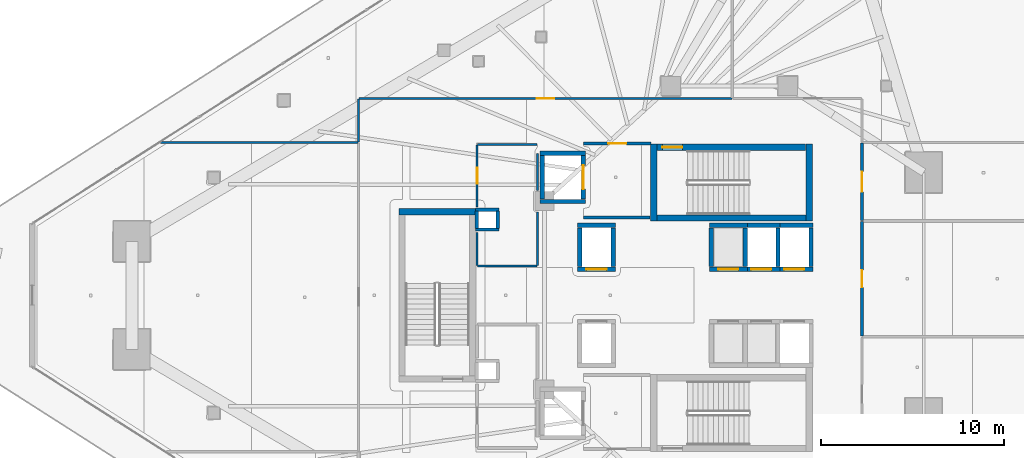
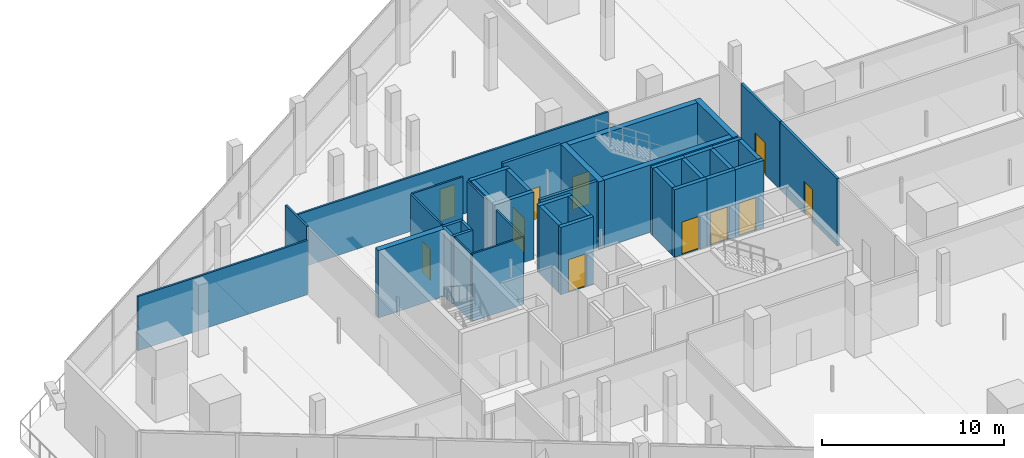
# One storey, part 27 of 42: 40 walls, 11 doors, 11 openings.
"""IFC4 building model written with IfcOpenShell, lengths in metres."""

from ifc_helpers import new_model, si_unit, direction, frame, frame_2d, origin, place, context, subcontext, project, spatial, rectangle, extrude, material, layer, layer_set, type_object, element, fill, save


model = new_model("IFC4")

# Units and contexts
model_context = context("Model", 3, precision=1e-05, world=origin(), true_north=direction((0.0, 1.0)))
body_context = subcontext(model_context, "Body", "Model", "MODEL_VIEW")
ifc_project = project(units=[si_unit("LENGTHUNIT", "METRE"), si_unit("AREAUNIT", "SQUARE_METRE"), si_unit("VOLUMEUNIT", "CUBIC_METRE"), si_unit("PLANEANGLEUNIT", "RADIAN"), si_unit("MASSUNIT", "GRAM", prefix="KILO")], contexts=[model_context])

# Site, building, storey
site_placement = place(None, origin())
site = spatial("IfcSite", under=ifc_project, at=site_placement, CompositionType="ELEMENT")
building_placement = place(site_placement, origin())
building = spatial("IfcBuilding", under=site, at=building_placement, Name="Qorvath Tower", CompositionType="ELEMENT")
storey_placement = place(building_placement, frame((0.0, 0.0, 105.0)))
storey = spatial("IfcBuildingStorey", under=building, at=storey_placement, Name="L23", CompositionType="ELEMENT", Elevation=105.0)

# Walls
ifc_material_1 = material(Name="Gypsum shaftliner on steel studs", Category="steel")
ifc_layer_1 = layer(ifc_material_1, 0.179931640625)
ifc_layer_set_1 = layer_set([ifc_layer_1], Name="FW-LOBBY")
wall_type_1 = type_object("IfcWallType", Name="FW-LOBBY", PredefinedType="PARTITIONING", material=ifc_layer_set_1)
for number, where, z_axis, x_axis, name in (
    (1, (-32.989990234375, 3.594970703125, 0.0), (0.0, 0.0, 1.0), (-1.0, 0.0, 0.0), "MEP Riser Shaft Enclosure Wall N-L23-S"),
    (2, (-34.260009765625, 4.675048828125, 0.0), (0.0, 0.0, 1.0), (1.0, 0.0, 0.0), "MEP Riser Shaft Enclosure Wall N-L23-N"),
):
    element("IfcWall", number, at=place(storey_placement, frame(where, z_axis=z_axis, x_axis=x_axis)), inside=storey, type_object=wall_type_1, Name=name, PredefinedType="PARTITIONING", context=body_context, shape_type="SweptSolid", body=[
        extrude(rectangle(XDim=1.27001953125, YDim=0.179931640625, at=frame_2d((0.635009765625, 0.0))), origin(), (0.0, 0.0, 1.0), 4.52001953125),
    ])
for number, where, z_axis, x_axis, name in (
    (3, (-34.205078125, 3.659912109375, 0.0), (0.0, 0.0, 1.0), (0.0, 1.0, 0.0), "MEP Riser Shaft Enclosure Wall N-L23-W"),
    (4, (-33.044921875, 4.610107421875, 0.0), (0.0, 0.0, 1.0), (0.0, -1.0, 0.0), "MEP Riser Shaft Enclosure Wall N-L23-E"),
):
    element("IfcWall", number, at=place(storey_placement, frame(where, z_axis=z_axis, x_axis=x_axis)), inside=storey, type_object=wall_type_1, Name=name, PredefinedType="PARTITIONING", context=body_context, shape_type="SweptSolid", body=[
        extrude(rectangle(XDim=0.9501953125, YDim=0.179931640625, at=frame_2d((0.47509765625, 0.0))), origin(), (0.0, 0.0, 1.0), 4.52001953125),
    ])
wall_1_placement = place(storey_placement, frame((-28.35498046875, 4.25, 0.0), z_axis=(0.0, 0.0, 1.0), x_axis=(1.0, 0.0, 0.0)))
element("IfcWall", 5, at=wall_1_placement, inside=storey, type_object=wall_type_1, Name="Interior Partition IW-T1-L23-001", PredefinedType="PARTITIONING", context=body_context, shape_type="SweptSolid", body=[
    extrude(rectangle(XDim=3.6220703125, YDim=0.179931640625, at=frame_2d((1.81103515625, 0.0))), origin(), (0.0, 0.0, 1.0), 4.52001953125),
])

# Wall, opening, door
wall_2_placement = place(storey_placement, frame((-24.68408203125, 8.300048828125, 0.0), z_axis=(0.0, 0.0, 1.0), x_axis=(-1.0, 0.0, 0.0)))
wall_2 = element("IfcWall", 6, at=wall_2_placement, inside=storey, type_object=wall_type_1, Name="Interior Partition IW-T1-L23-002", PredefinedType="PARTITIONING", context=body_context, shape_type="SweptSolid", body=[
    extrude(rectangle(XDim=3.6708984375, YDim=0.179931640625, at=frame_2d((1.83544921875, 0.0))), origin(), (0.0, 0.0, 1.0), 4.52001953125),
])
opening_1_placement = place(wall_2_placement, frame((1.33544921875, 0.0, 0.0)))
opening_1 = element("IfcOpeningElement", 7, at=opening_1_placement, cuts=wall_2, Name="Opening D-T1-L23-12", PredefinedType="OPENING", context=body_context, shape_type="SweptSolid", body=[
    extrude(rectangle(XDim=1.0, YDim=2.14990234375, at=frame_2d((0.5, 1.074951171875))), frame((0.0, 0.10009765625, 0.0), z_axis=(0.0, -1.0, 0.0), x_axis=(1.0, 0.0, 0.0)), (0.0, 0.0, 1.0), 0.199951171875),
])
ifc_material_2 = material(Name="Painted galvanised hollow metal", Category="steel")
door_type_1 = type_object("IfcDoorType", Name="FD-60", OperationType="NOTDEFINED", PredefinedType="DOOR", material=ifc_material_2)
door_1_placement = place(opening_1_placement, origin())
door_1 = element("IfcDoor", 8, at=door_1_placement, inside=storey, type_object=door_type_1, Name="Lobby Fire Service Elevator North Door D-T1-L23-12", OperationType="SINGLE_SWING_LEFT", OverallHeight=2.14990234375, OverallWidth=1.0, PredefinedType="DOOR", context=body_context, shape_type="SweptSolid", body=[
    extrude(rectangle(XDim=1.0, YDim=2.14990234375, at=frame_2d((0.5, 1.074951171875))), frame((0.0, 0.02490234375, 0.0), z_axis=(0.0, -1.0, 0.0), x_axis=(1.0, 0.0, 0.0)), (0.0, 0.0, 1.0), 0.050048828125),
])
fill(opening_1, door_1)

ifc_material_3 = material(Name="Double acoustic gypsum board on steel studs", Category="steel")
ifc_layer_2 = layer(ifc_material_3, 0.159912109375)
ifc_layer_set_2 = layer_set([ifc_layer_2], Name="IW-ACOUSTIC-160")
wall_type_2 = type_object("IfcWallType", Name="IW-ACOUSTIC-160", PredefinedType="PARTITIONING", material=ifc_layer_set_2)
wall_3_placement = place(storey_placement, frame((-13.14208984375, 4.04345703125, 0.0), z_axis=(0.0, 0.0, 1.0), x_axis=(0.0, -1.0, 0.0)))
wall_3 = element("IfcWall", 9, at=wall_3_placement, inside=storey, type_object=wall_type_2, Name="Interior Partition IW-T1-L23-037", PredefinedType="PARTITIONING", context=body_context, shape_type="SweptSolid", body=[
    extrude(rectangle(XDim=6.279052734375, YDim=0.159912109375, at=frame_2d((3.1396484375, 0.0))), origin(), (0.0, 0.0, 1.0), 4.52001953125),
])
opening_2_placement = place(wall_3_placement, frame((2.66455078125, 0.0, 0.0)))
opening_2 = element("IfcOpeningElement", 10, at=opening_2_placement, cuts=wall_3, Name="Opening D-T1-L23-09", PredefinedType="OPENING", context=body_context, shape_type="SweptSolid", body=[
    extrude(rectangle(XDim=0.949951171875, YDim=2.14990234375, at=frame_2d((0.47509765625, 1.074951171875))), frame((0.0, 0.08984375, 0.0), z_axis=(0.0, -1.0, 0.0), x_axis=(1.0, 0.0, 0.0)), (0.0, 0.0, 1.0), 0.179931640625),
])
ifc_material_4 = material(Name="Solid-core American white oak veneer", Category="wood")
door_type_2 = type_object("IfcDoorType", Name="D-01", OperationType="NOTDEFINED", PredefinedType="DOOR", material=ifc_material_4)
door_2_placement = place(opening_2_placement, origin())
door_2 = element("IfcDoor", 11, at=door_2_placement, inside=storey, type_object=door_type_2, Name="L23-07 Sky Breakout Reading Alcove Door D-T1-L23-09", OperationType="SINGLE_SWING_RIGHT", OverallHeight=2.14990234375, OverallWidth=0.949951171875, PredefinedType="DOOR", context=body_context, shape_type="SweptSolid", body=[
    extrude(rectangle(XDim=0.949951171875, YDim=2.14990234375, at=frame_2d((0.47509765625, 1.074951171875))), frame((0.0, 0.02490234375, 0.0), z_axis=(0.0, -1.0, 0.0), x_axis=(1.0, 0.0, 0.0)), (0.0, 0.0, 1.0), 0.050048828125),
])
fill(opening_2, door_2)

wall_4_placement = place(storey_placement, frame((-13.14208984375, 8.31689453125, 0.0), z_axis=(0.0, 0.0, 1.0), x_axis=(0.0, -1.0, 0.0)))
wall_4 = element("IfcWall", 12, at=wall_4_placement, inside=storey, type_object=wall_type_2, Name="Interior Partition IW-T1-L23-039", PredefinedType="PARTITIONING", context=body_context, shape_type="SweptSolid", body=[
    extrude(rectangle(XDim=4.215576171875, YDim=0.159912109375, at=frame_2d((2.10791015625, 0.0))), origin(), (0.0, 0.0, 1.0), 4.52001953125),
])
opening_3_placement = place(wall_4_placement, frame((1.557861328125, 0.0, 0.0)))
opening_3 = element("IfcOpeningElement", 13, at=opening_3_placement, cuts=wall_4, Name="Opening D-T1-L23-10", PredefinedType="OPENING", context=body_context, shape_type="SweptSolid", body=[
    extrude(rectangle(XDim=1.10009765625, YDim=2.14990234375, at=frame_2d((0.550048828125, 1.074951171875))), frame((0.0, 0.08984375, 0.0), z_axis=(0.0, -1.0, 0.0), x_axis=(1.0, 0.0, 0.0)), (0.0, 0.0, 1.0), 0.179931640625),
])
ifc_material_5 = material(Name="Anodised aluminium acoustic framed glass", Category="aluminium")
door_type_3 = type_object("IfcDoorType", Name="D-03", OperationType="NOTDEFINED", PredefinedType="DOOR", material=ifc_material_5)
door_3_placement = place(opening_3_placement, origin())
door_3 = element("IfcDoor", 14, at=door_3_placement, inside=storey, type_object=door_type_3, Name="L23-08 Sky Digital Visualization Suite Door D-T1-L23-10", OperationType="SINGLE_SWING_LEFT", OverallHeight=2.14990234375, OverallWidth=1.10009765625, PredefinedType="DOOR", context=body_context, shape_type="SweptSolid", body=[
    extrude(rectangle(XDim=1.10009765625, YDim=2.14990234375, at=frame_2d((0.550048828125, 1.074951171875))), frame((0.0, 0.02490234375, 0.0), z_axis=(0.0, -1.0, 0.0), x_axis=(1.0, 0.0, 0.0)), (0.0, 0.0, 1.0), 0.050048828125),
])
fill(opening_3, door_3)

# Walls
ifc_material_6 = material(Name="Gypsum board on metal studs with mineral wool", Category="gypsum")
ifc_layer_3 = layer(ifc_material_6, 0.125)
ifc_layer_set_3 = layer_set([ifc_layer_3], Name="IW-PART-125")
wall_type_3 = type_object("IfcWallType", Name="IW-PART-125", PredefinedType="PARTITIONING", material=ifc_layer_set_3)
wall_5_placement = place(storey_placement, frame((-51.482421875, 8.35009765625, 0.0), z_axis=(0.0, 0.0, 1.0), x_axis=(1.0, 0.0, 0.0)))
element("IfcWall", 15, at=wall_5_placement, inside=storey, type_object=wall_type_3, Name="Interior Partition IW-T1-L23-017", PredefinedType="PARTITIONING", context=body_context, shape_type="SweptSolid", body=[
    extrude(rectangle(XDim=10.79931640625, YDim=0.125, at=frame_2d((5.399658203125, 0.0))), origin(), (0.0, 0.0, 1.0), 3.639892578125),
])
wall_6_placement = place(storey_placement, frame((-40.657958984375, 10.733154296875, 0.0), z_axis=(0.0, 0.0, 1.0), x_axis=(0.0, -1.0, 0.0)))
element("IfcWall", 16, at=wall_6_placement, inside=storey, type_object=wall_type_3, Name="Interior Partition IW-T1-L23-018", PredefinedType="PARTITIONING", context=body_context, shape_type="SweptSolid", body=[
    extrude(rectangle(XDim=2.358154296875, YDim=0.125, at=frame_2d((1.17919921875, 0.0))), origin(), (0.0, 0.0, 1.0), 4.52001953125),
])

# Wall, opening, door
wall_7_placement = place(storey_placement, frame((-40.633056640625, 10.758056640625, 0.0), z_axis=(0.0, 0.0, 1.0), x_axis=(1.0, 0.0, 0.0)))
wall_7 = element("IfcWall", 17, at=wall_7_placement, inside=storey, type_object=wall_type_3, Name="Interior Partition IW-T1-L23-019", PredefinedType="PARTITIONING", context=body_context, shape_type="SweptSolid", body=[
    extrude(rectangle(XDim=20.374755859375, YDim=0.125, at=frame_2d((10.1875, 0.0))), origin(), (0.0, 0.0, 1.0), 3.639892578125),
])
opening_4_placement = place(wall_7_placement, frame((9.71240234375, 0.0, 0.0)))
opening_4 = element("IfcOpeningElement", 18, at=opening_4_placement, cuts=wall_7, Name="Opening D-T1-L23-03", PredefinedType="OPENING", context=body_context, shape_type="SweptSolid", body=[
    extrude(rectangle(XDim=0.949951171875, YDim=2.14990234375, at=frame_2d((0.47509765625, 1.074951171875))), frame((0.0, 0.072509765625, 0.0), z_axis=(0.0, -1.0, 0.0), x_axis=(1.0, 0.0, 0.0)), (0.0, 0.0, 1.0), 0.14501953125),
])
door_4_placement = place(opening_4_placement, origin())
door_4 = element("IfcDoor", 19, at=door_4_placement, inside=storey, type_object=door_type_2, Name="L23-01 Sky Focus Collaboration Pod Door D-T1-L23-03", OperationType="SINGLE_SWING_RIGHT", OverallHeight=2.14990234375, OverallWidth=0.949951171875, PredefinedType="DOOR", context=body_context, shape_type="SweptSolid", body=[
    extrude(rectangle(XDim=0.949951171875, YDim=2.14990234375, at=frame_2d((0.47509765625, 1.074951171875))), frame((0.0, 0.02490234375, 0.0), z_axis=(0.0, -1.0, 0.0), x_axis=(1.0, 0.0, 0.0)), (0.0, 0.0, 1.0), 0.050048828125),
])
fill(opening_4, door_4)

# Walls
ifc_material_7 = material(Name="Moisture-resistant cement board on metal studs", Category="gypsum")
ifc_layer_4 = layer(ifc_material_7, 0.110107421875)
ifc_layer_set_4 = layer_set([ifc_layer_4], Name="IW-WC-110")
wall_type_4 = type_object("IfcWallType", Name="IW-WC-110", PredefinedType="PARTITIONING", material=ifc_layer_set_4)
wall_8_placement = place(storey_placement, frame((-34.15478515625, 1.60009765625, 0.0), z_axis=(0.0, 0.0, 1.0), x_axis=(1.0, 0.0, 0.0)))
element("IfcWall", 20, at=wall_8_placement, inside=storey, type_object=wall_type_4, Name="Interior Partition IW-T1-L23-005", PredefinedType="PARTITIONING", context=body_context, shape_type="SweptSolid", body=[
    extrude(rectangle(XDim=3.25, YDim=0.110107421875, at=frame_2d((1.625, 0.0))), origin(), (0.0, 0.0, 1.0), 4.52001953125),
])
wall_9_placement = place(storey_placement, frame((-30.8798828125, 1.625, 0.0), z_axis=(0.0, 0.0, 1.0), x_axis=(0.0, 1.0, 0.0)))
element("IfcWall", 21, at=wall_9_placement, inside=storey, type_object=wall_type_4, Name="Interior Partition IW-T1-L23-006", PredefinedType="PARTITIONING", context=body_context, shape_type="SweptSolid", body=[
    extrude(rectangle(XDim=2.93505859375, YDim=0.110107421875, at=frame_2d((1.467529296875, 0.0))), origin(), (0.0, 0.0, 1.0), 4.52001953125),
])
wall_10_placement = place(storey_placement, frame((-30.8798828125, 5.739990234375, 0.0), z_axis=(0.0, 0.0, 1.0), x_axis=(0.0, 1.0, 0.0)))
element("IfcWall", 22, at=wall_10_placement, inside=storey, type_object=wall_type_4, Name="Interior Partition IW-T1-L23-007", PredefinedType="PARTITIONING", context=body_context, shape_type="SweptSolid", body=[
    extrude(rectangle(XDim=2.0029296875, YDim=0.110107421875, at=frame_2d((1.00146484375, 0.0))), origin(), (0.0, 0.0, 1.0), 4.52001953125),
])
wall_11_placement = place(storey_placement, frame((-30.90478515625, 8.25, 0.0), z_axis=(0.0, 0.0, 1.0), x_axis=(-1.0, 0.0, 0.0)))
element("IfcWall", 23, at=wall_11_placement, inside=storey, type_object=wall_type_4, Name="Interior Partition IW-T1-L23-008", PredefinedType="PARTITIONING", context=body_context, shape_type="SweptSolid", body=[
    extrude(rectangle(XDim=3.25, YDim=0.110107421875, at=frame_2d((1.625, 0.0))), origin(), (0.0, 0.0, 1.0), 4.52001953125),
])

# Wall, opening, door
wall_12_placement = place(storey_placement, frame((-34.179931640625, 8.22509765625, 0.0), z_axis=(0.0, 0.0, 1.0), x_axis=(0.0, -1.0, 0.0)))
wall_12 = element("IfcWall", 24, at=wall_12_placement, inside=storey, type_object=wall_type_4, Name="Interior Partition IW-T1-L23-009", PredefinedType="PARTITIONING", context=body_context, shape_type="SweptSolid", body=[
    extrude(rectangle(XDim=3.385009765625, YDim=0.110107421875, at=frame_2d((1.6923828125, 0.0))), origin(), (0.0, 0.0, 1.0), 4.52001953125),
])
opening_5_placement = place(wall_12_placement, frame((1.25244140625, 0.0, 0.0)))
opening_5 = element("IfcOpeningElement", 25, at=opening_5_placement, cuts=wall_12, Name="Opening D-T1-L23-01", PredefinedType="OPENING", context=body_context, shape_type="SweptSolid", body=[
    extrude(rectangle(XDim=0.8798828125, YDim=2.10009765625, at=frame_2d((0.43994140625, 1.050048828125))), frame((0.0, 0.06494140625, 0.0), z_axis=(0.0, -1.0, 0.0), x_axis=(1.0, 0.0, 0.0)), (0.0, 0.0, 1.0), 0.130126953125),
])
ifc_material_8 = material(Name="Solid-core oak with acoustic drop seal", Category="wood")
door_type_4 = type_object("IfcDoorType", Name="D-02", OperationType="NOTDEFINED", PredefinedType="DOOR", material=ifc_material_8)
door_5_placement = place(opening_5_placement, origin())
door_5 = element("IfcDoor", 26, at=door_5_placement, inside=storey, type_object=door_type_4, Name="Accessible WC North L23 Door D-T1-L23-01", OperationType="SINGLE_SWING_RIGHT", OverallHeight=2.10009765625, OverallWidth=0.8798828125, PredefinedType="DOOR", context=body_context, shape_type="SweptSolid", body=[
    extrude(rectangle(XDim=0.8798828125, YDim=2.10009765625, at=frame_2d((0.43994140625, 1.050048828125))), frame((0.0, 0.02490234375, 0.0), z_axis=(0.0, -1.0, 0.0), x_axis=(1.0, 0.0, 0.0)), (0.0, 0.0, 1.0), 0.050048828125),
])
fill(opening_5, door_5)

# Walls
wall_13_placement = place(storey_placement, frame((-34.179931640625, 3.429931640625, 0.0), z_axis=(0.0, 0.0, 1.0), x_axis=(0.0, -1.0, 0.0)))
element("IfcWall", 27, at=wall_13_placement, inside=storey, type_object=wall_type_4, Name="Interior Partition IW-T1-L23-010", PredefinedType="PARTITIONING", context=body_context, shape_type="SweptSolid", body=[
    extrude(rectangle(XDim=1.804931640625, YDim=0.110107421875, at=frame_2d((0.90234375, 0.0))), origin(), (0.0, 0.0, 1.0), 4.52001953125),
])
ifc_material_9 = material(Name="Concrete C60/75", Category="concrete")
ifc_layer_5 = layer(ifc_material_9, 0.260009765625)
ifc_layer_set_5 = layer_set([ifc_layer_5], Name="SW-SHAFT")
wall_type_5 = type_object("IfcWallType", Name="SW-SHAFT", PredefinedType="SHEAR", material=ifc_layer_set_5)
for number, where, z_axis, x_axis, name in (
    (28, (-28.260009765625, 5.1298828125, 0.0), (0.0, 0.0, 1.0), (-1.0, 0.0, 0.0), "Hoistway Wall FSAE-1 L23 S"),
    (29, (-30.739990234375, 7.77001953125, 0.0), (0.0, 0.0, 1.0), (1.0, 0.0, 0.0), "Hoistway Wall FSAE-1 L23 N"),
):
    element("IfcWall", number, at=place(storey_placement, frame(where, z_axis=z_axis, x_axis=x_axis)), inside=storey, type_object=wall_type_5, Name=name, PredefinedType="SHEAR", context=body_context, shape_type="SweptSolid", body=[
        extrude(rectangle(XDim=2.47998046875, YDim=0.239990234375, at=frame_2d((1.239990234375, 0.0))), origin(), (0.0, 0.0, 1.0), 4.52001953125),
    ])
wall_14_placement = place(storey_placement, frame((-30.6201171875, 5.261962890625, 0.0), z_axis=(0.0, 0.0, 1.0), x_axis=(0.0, 1.0, 0.0)))
element("IfcWall", 30, at=wall_14_placement, inside=storey, type_object=wall_type_5, Name="Hoistway Wall FSAE-1 L23 W", PredefinedType="SHEAR", context=body_context, shape_type="SweptSolid", body=[
    extrude(rectangle(XDim=2.3759765625, YDim=0.239990234375, at=frame_2d((1.18798828125, 0.0))), origin(), (0.0, 0.0, 1.0), 4.52001953125),
])

# Wall, opening, door
wall_15_placement = place(storey_placement, frame((-28.3798828125, 7.637939453125, 0.0), z_axis=(0.0, 0.0, 1.0), x_axis=(0.0, -1.0, 0.0)))
wall_15 = element("IfcWall", 31, at=wall_15_placement, inside=storey, type_object=wall_type_5, Name="Hoistway Wall FSAE-1 L23 E", PredefinedType="SHEAR", context=body_context, shape_type="SweptSolid", body=[
    extrude(rectangle(XDim=2.3759765625, YDim=0.239990234375, at=frame_2d((1.18798828125, 0.0))), origin(), (0.0, 0.0, 1.0), 4.52001953125),
])
opening_6_placement = place(wall_15_placement, frame((0.537841796875, 0.0, 0.0)))
opening_6 = element("IfcOpeningElement", 32, at=opening_6_placement, cuts=wall_15, Name="Opening LD-FSAE-1-L23", PredefinedType="OPENING", context=body_context, shape_type="SweptSolid", body=[
    extrude(rectangle(XDim=1.300048828125, YDim=2.300048828125, at=frame_2d((0.64990234375, 1.14990234375))), frame((0.0, 0.1298828125, 0.0), z_axis=(0.0, -1.0, 0.0), x_axis=(1.0, 0.0, 0.0)), (0.0, 0.0, 1.0), 0.260009765625),
])
ifc_material_10 = material(Name="Brushed stainless steel AISI 316", Category="steel")
door_type_5 = type_object("IfcDoorType", Name="LD-02", OperationType="NOTDEFINED", PredefinedType="DOOR", material=ifc_material_10)
door_6_placement = place(opening_6_placement, origin())
door_6 = element("IfcDoor", 33, at=door_6_placement, inside=storey, type_object=door_type_5, Name="Elevator Landing Sliding Door LD-FSAE-1-L23", OperationType="DOUBLE_DOOR_SLIDING", OverallHeight=2.300048828125, OverallWidth=1.300048828125, PredefinedType="DOOR", context=body_context, shape_type="SweptSolid", body=[
    extrude(rectangle(XDim=1.300048828125, YDim=2.300048828125, at=frame_2d((0.64990234375, 1.14990234375))), frame((0.0, 0.02490234375, 0.0), z_axis=(0.0, -1.0, 0.0), x_axis=(1.0, 0.0, 0.0)), (0.0, 0.0, 1.0), 0.050048828125),
])
fill(opening_6, door_6)

wall_16_placement = place(storey_placement, frame((-26.610107421875, 1.429931640625, 0.0), z_axis=(0.0, 0.0, 1.0), x_axis=(-1.0, 0.0, 0.0)))
wall_16 = element("IfcWall", 34, at=wall_16_placement, inside=storey, type_object=wall_type_5, Name="Hoistway Wall PS-1 L23 S", PredefinedType="SHEAR", context=body_context, shape_type="SweptSolid", body=[
    extrude(rectangle(XDim=2.079833984375, YDim=0.239990234375, at=frame_2d((1.0400390625, 0.0))), origin(), (0.0, 0.0, 1.0), 4.52001953125),
])
opening_7_placement = place(wall_16_placement, frame((0.48974609375, 0.0, 0.0)))
opening_7 = element("IfcOpeningElement", 35, at=opening_7_placement, cuts=wall_16, Name="Opening LD-PS-1-L23", PredefinedType="OPENING", context=body_context, shape_type="SweptSolid", body=[
    extrude(rectangle(XDim=1.10009765625, YDim=2.199951171875, at=frame_2d((0.550048828125, 1.10009765625))), frame((0.0, 0.1298828125, 0.0), z_axis=(0.0, -1.0, 0.0), x_axis=(1.0, 0.0, 0.0)), (0.0, 0.0, 1.0), 0.260009765625),
])
ifc_material_11 = material(Name="Brushed stainless steel AISI 316", Category="steel")
door_type_6 = type_object("IfcDoorType", Name="LD-01", OperationType="NOTDEFINED", PredefinedType="DOOR", material=ifc_material_11)
door_7_placement = place(opening_7_placement, origin())
door_7 = element("IfcDoor", 36, at=door_7_placement, inside=storey, type_object=door_type_6, Name="Elevator Landing Sliding Door LD-PS-1-L23", OperationType="DOUBLE_DOOR_SLIDING", OverallHeight=2.199951171875, OverallWidth=1.10009765625, PredefinedType="DOOR", context=body_context, shape_type="SweptSolid", body=[
    extrude(rectangle(XDim=1.10009765625, YDim=2.199951171875, at=frame_2d((0.550048828125, 1.10009765625))), frame((0.0, 0.02490234375, 0.0), z_axis=(0.0, -1.0, 0.0), x_axis=(1.0, 0.0, 0.0)), (0.0, 0.0, 1.0), 0.050048828125),
])
fill(opening_7, door_7)

# Walls
wall_17_placement = place(storey_placement, frame((-28.68994140625, 3.820068359375, 0.0), z_axis=(0.0, 0.0, 1.0), x_axis=(1.0, 0.0, 0.0)))
element("IfcWall", 37, at=wall_17_placement, inside=storey, type_object=wall_type_5, Name="Hoistway Wall PS-1 L23 N", PredefinedType="SHEAR", context=body_context, shape_type="SweptSolid", body=[
    extrude(rectangle(XDim=2.079833984375, YDim=0.239990234375, at=frame_2d((1.0400390625, 0.0))), origin(), (0.0, 0.0, 1.0), 4.52001953125),
])
for number, where, z_axis, x_axis, name in (
    (38, (-28.570068359375, 1.56201171875, 0.0), (0.0, 0.0, 1.0), (0.0, 1.0, 0.0), "Hoistway Wall PS-1 L23 W"),
    (39, (-26.72998046875, 3.68798828125, 0.0), (0.0, 0.0, 1.0), (0.0, -1.0, 0.0), "Hoistway Wall PS-1 L23 E"),
):
    element("IfcWall", number, at=place(storey_placement, frame(where, z_axis=z_axis, x_axis=x_axis)), inside=storey, type_object=wall_type_5, Name=name, PredefinedType="SHEAR", context=body_context, shape_type="SweptSolid", body=[
        extrude(rectangle(XDim=2.1259765625, YDim=0.239990234375, at=frame_2d((1.06298828125, 0.0))), origin(), (0.0, 0.0, 1.0), 4.52001953125),
    ])

# Wall, opening, door
wall_18_placement = place(storey_placement, frame((-19.409912109375, 1.429931640625, 0.0), z_axis=(0.0, 0.0, 1.0), x_axis=(-1.0, 0.0, 0.0)))
wall_18 = element("IfcWall", 40, at=wall_18_placement, inside=storey, type_object=wall_type_5, Name="Hoistway Wall PM-1 L23 S", PredefinedType="SHEAR", context=body_context, shape_type="SweptSolid", body=[
    extrude(rectangle(XDim=2.080078125, YDim=0.239990234375, at=frame_2d((1.0400390625, 0.0))), origin(), (0.0, 0.0, 1.0), 4.52001953125),
])
opening_8_placement = place(wall_18_placement, frame((0.489990234375, 0.0, 0.0)))
opening_8 = element("IfcOpeningElement", 41, at=opening_8_placement, cuts=wall_18, Name="Opening LD-PM-1-L23", PredefinedType="OPENING", context=body_context, shape_type="SweptSolid", body=[
    extrude(rectangle(XDim=1.10009765625, YDim=2.199951171875, at=frame_2d((0.550048828125, 1.10009765625))), frame((0.0, 0.1298828125, 0.0), z_axis=(0.0, -1.0, 0.0), x_axis=(1.0, 0.0, 0.0)), (0.0, 0.0, 1.0), 0.260009765625),
])
door_8_placement = place(opening_8_placement, origin())
door_8 = element("IfcDoor", 42, at=door_8_placement, inside=storey, type_object=door_type_6, Name="Elevator Landing Sliding Door LD-PM-1-L23", OperationType="DOUBLE_DOOR_SLIDING", OverallHeight=2.199951171875, OverallWidth=1.10009765625, PredefinedType="DOOR", context=body_context, shape_type="SweptSolid", body=[
    extrude(rectangle(XDim=1.10009765625, YDim=2.199951171875, at=frame_2d((0.550048828125, 1.10009765625))), frame((0.0, 0.02490234375, 0.0), z_axis=(0.0, -1.0, 0.0), x_axis=(1.0, 0.0, 0.0)), (0.0, 0.0, 1.0), 0.050048828125),
])
fill(opening_8, door_8)

# Walls
wall_19_placement = place(storey_placement, frame((-21.489990234375, 3.820068359375, 0.0), z_axis=(0.0, 0.0, 1.0), x_axis=(1.0, 0.0, 0.0)))
element("IfcWall", 43, at=wall_19_placement, inside=storey, type_object=wall_type_5, Name="Hoistway Wall PM-1 L23 N", PredefinedType="SHEAR", context=body_context, shape_type="SweptSolid", body=[
    extrude(rectangle(XDim=2.080078125, YDim=0.239990234375, at=frame_2d((1.0400390625, 0.0))), origin(), (0.0, 0.0, 1.0), 4.52001953125),
])
for number, where, z_axis, x_axis, name in (
    (44, (-21.3701171875, 1.56201171875, 0.0), (0.0, 0.0, 1.0), (0.0, 1.0, 0.0), "Hoistway Wall PM-1 L23 W"),
    (45, (-19.530029296875, 3.68798828125, 0.0), (0.0, 0.0, 1.0), (0.0, -1.0, 0.0), "Hoistway Wall PM-1 L23 E"),
):
    element("IfcWall", number, at=place(storey_placement, frame(where, z_axis=z_axis, x_axis=x_axis)), inside=storey, type_object=wall_type_5, Name=name, PredefinedType="SHEAR", context=body_context, shape_type="SweptSolid", body=[
        extrude(rectangle(XDim=2.1259765625, YDim=0.239990234375, at=frame_2d((1.06298828125, 0.0))), origin(), (0.0, 0.0, 1.0), 4.52001953125),
    ])

# Wall, opening, door
wall_20_placement = place(storey_placement, frame((-17.610107421875, 1.429931640625, 0.0), z_axis=(0.0, 0.0, 1.0), x_axis=(-1.0, 0.0, 0.0)))
wall_20 = element("IfcWall", 46, at=wall_20_placement, inside=storey, type_object=wall_type_5, Name="Hoistway Wall PL-1 L23 S", PredefinedType="SHEAR", context=body_context, shape_type="SweptSolid", body=[
    extrude(rectangle(XDim=1.7998046875, YDim=0.239990234375, at=frame_2d((0.89990234375, 0.0))), origin(), (0.0, 0.0, 1.0), 4.52001953125),
])
opening_9_placement = place(wall_20_placement, frame((0.48974609375, 0.0, 0.0)))
opening_9 = element("IfcOpeningElement", 47, at=opening_9_placement, cuts=wall_20, Name="Opening LD-PL-1-L23", PredefinedType="OPENING", context=body_context, shape_type="SweptSolid", body=[
    extrude(rectangle(XDim=1.10009765625, YDim=2.199951171875, at=frame_2d((0.550048828125, 1.10009765625))), frame((0.0, 0.1298828125, 0.0), z_axis=(0.0, -1.0, 0.0), x_axis=(1.0, 0.0, 0.0)), (0.0, 0.0, 1.0), 0.260009765625),
])
door_9_placement = place(opening_9_placement, origin())
door_9 = element("IfcDoor", 48, at=door_9_placement, inside=storey, type_object=door_type_6, Name="Elevator Landing Sliding Door LD-PL-1-L23", OperationType="DOUBLE_DOOR_SLIDING", OverallHeight=2.199951171875, OverallWidth=1.10009765625, PredefinedType="DOOR", context=body_context, shape_type="SweptSolid", body=[
    extrude(rectangle(XDim=1.10009765625, YDim=2.199951171875, at=frame_2d((0.550048828125, 1.10009765625))), frame((0.0, 0.02490234375, 0.0), z_axis=(0.0, -1.0, 0.0), x_axis=(1.0, 0.0, 0.0)), (0.0, 0.0, 1.0), 0.050048828125),
])
fill(opening_9, door_9)

# Walls
wall_21_placement = place(storey_placement, frame((-19.409912109375, 3.820068359375, 0.0), z_axis=(0.0, 0.0, 1.0), x_axis=(1.0, 0.0, 0.0)))
element("IfcWall", 49, at=wall_21_placement, inside=storey, type_object=wall_type_5, Name="Hoistway Wall PL-1 L23 N", PredefinedType="SHEAR", context=body_context, shape_type="SweptSolid", body=[
    extrude(rectangle(XDim=1.7998046875, YDim=0.239990234375, at=frame_2d((0.89990234375, 0.0))), origin(), (0.0, 0.0, 1.0), 4.52001953125),
])
wall_22_placement = place(storey_placement, frame((-17.72998046875, 3.68798828125, 0.0), z_axis=(0.0, 0.0, 1.0), x_axis=(0.0, -1.0, 0.0)))
element("IfcWall", 50, at=wall_22_placement, inside=storey, type_object=wall_type_5, Name="Hoistway Wall PL-1 L23 E", PredefinedType="SHEAR", context=body_context, shape_type="SweptSolid", body=[
    extrude(rectangle(XDim=2.1259765625, YDim=0.239990234375, at=frame_2d((1.06298828125, 0.0))), origin(), (0.0, 0.0, 1.0), 4.52001953125),
])

# Wall, opening, door
wall_23_placement = place(storey_placement, frame((-15.81005859375, 1.429931640625, 0.0), z_axis=(0.0, 0.0, 1.0), x_axis=(-1.0, 0.0, 0.0)))
wall_23 = element("IfcWall", 51, at=wall_23_placement, inside=storey, type_object=wall_type_5, Name="Hoistway Wall PL-3 L23 S", PredefinedType="SHEAR", context=body_context, shape_type="SweptSolid", body=[
    extrude(rectangle(XDim=1.800048828125, YDim=0.239990234375, at=frame_2d((0.89990234375, 0.0))), origin(), (0.0, 0.0, 1.0), 4.52001953125),
])
opening_10_placement = place(wall_23_placement, frame((0.489990234375, 0.0, 0.0)))
opening_10 = element("IfcOpeningElement", 52, at=opening_10_placement, cuts=wall_23, Name="Opening LD-PL-3-L23", PredefinedType="OPENING", context=body_context, shape_type="SweptSolid", body=[
    extrude(rectangle(XDim=1.10009765625, YDim=2.199951171875, at=frame_2d((0.550048828125, 1.10009765625))), frame((0.0, 0.1298828125, 0.0), z_axis=(0.0, -1.0, 0.0), x_axis=(1.0, 0.0, 0.0)), (0.0, 0.0, 1.0), 0.260009765625),
])
door_10_placement = place(opening_10_placement, origin())
door_10 = element("IfcDoor", 53, at=door_10_placement, inside=storey, type_object=door_type_6, Name="Elevator Landing Sliding Door LD-PL-3-L23", OperationType="DOUBLE_DOOR_SLIDING", OverallHeight=2.199951171875, OverallWidth=1.10009765625, PredefinedType="DOOR", context=body_context, shape_type="SweptSolid", body=[
    extrude(rectangle(XDim=1.10009765625, YDim=2.199951171875, at=frame_2d((0.550048828125, 1.10009765625))), frame((0.0, 0.02490234375, 0.0), z_axis=(0.0, -1.0, 0.0), x_axis=(1.0, 0.0, 0.0)), (0.0, 0.0, 1.0), 0.050048828125),
])
fill(opening_10, door_10)

# Walls
wall_24_placement = place(storey_placement, frame((-17.610107421875, 3.820068359375, 0.0), z_axis=(0.0, 0.0, 1.0), x_axis=(1.0, 0.0, 0.0)))
element("IfcWall", 54, at=wall_24_placement, inside=storey, type_object=wall_type_5, Name="Hoistway Wall PL-3 L23 N", PredefinedType="SHEAR", context=body_context, shape_type="SweptSolid", body=[
    extrude(rectangle(XDim=1.800048828125, YDim=0.239990234375, at=frame_2d((0.89990234375, 0.0))), origin(), (0.0, 0.0, 1.0), 4.52001953125),
])
wall_25_placement = place(storey_placement, frame((-15.929931640625, 3.68798828125, 0.0), z_axis=(0.0, 0.0, 1.0), x_axis=(0.0, -1.0, 0.0)))
element("IfcWall", 55, at=wall_25_placement, inside=storey, type_object=wall_type_5, Name="Hoistway Wall PL-3 L23 E", PredefinedType="SHEAR", context=body_context, shape_type="SweptSolid", body=[
    extrude(rectangle(XDim=2.1259765625, YDim=0.239990234375, at=frame_2d((1.06298828125, 0.0))), origin(), (0.0, 0.0, 1.0), 4.52001953125),
])
ifc_material_12 = material(Name="Concrete C60/75", Category="concrete")
ifc_layer_6 = layer(ifc_material_12, 0.35009765625)
ifc_layer_set_6 = layer_set([ifc_layer_6], Name="SW-STAIR")
wall_type_6 = type_object("IfcWallType", Name="SW-STAIR", PredefinedType="SHEAR", material=ifc_layer_set_6)
for number, where, z_axis, x_axis, name in (
    (56, (-24.52490234375, 8.260009765625, 0.0), (0.0, 0.0, 1.0), (0.0, -1.0, 0.0), "Stair TS1 Shear Wall L23 NEAR"),
    (57, (-16.02490234375, 4.050048828125, 0.0), (0.0, 0.0, 1.0), (0.0, 1.0, 0.0), "Stair TS1 Shear Wall L23 FAR"),
):
    element("IfcWall", number, at=place(storey_placement, frame(where, z_axis=z_axis, x_axis=x_axis)), inside=storey, type_object=wall_type_6, Name=name, PredefinedType="SHEAR", context=body_context, shape_type="SweptSolid", body=[
        extrude(rectangle(XDim=4.2099609375, YDim=0.35009765625, at=frame_2d((2.10498046875, 0.0))), origin(), (0.0, 0.0, 1.0), 4.52001953125),
    ])
wall_26_placement = place(storey_placement, frame((-24.3349609375, 4.22509765625, 0.0), z_axis=(0.0, 0.0, 1.0), x_axis=(1.0, 0.0, 0.0)))
element("IfcWall", 58, at=wall_26_placement, inside=storey, type_object=wall_type_6, Name="Stair TS1 Shear Wall L23 LEFT", PredefinedType="SHEAR", context=body_context, shape_type="SweptSolid", body=[
    extrude(rectangle(XDim=8.119873046875, YDim=0.35009765625, at=frame_2d((4.06005859375, 0.0))), origin(), (0.0, 0.0, 1.0), 4.52001953125),
])

# Wall, opening, door
wall_27_placement = place(storey_placement, frame((-16.215087890625, 8.0849609375, 0.0), z_axis=(0.0, 0.0, 1.0), x_axis=(-1.0, 0.0, 0.0)))
wall_27 = element("IfcWall", 59, at=wall_27_placement, inside=storey, type_object=wall_type_6, Name="Stair TS1 Shear Wall L23 RIGHT", PredefinedType="SHEAR", context=body_context, shape_type="SweptSolid", body=[
    extrude(rectangle(XDim=8.119873046875, YDim=0.35009765625, at=frame_2d((4.06005859375, 0.0))), origin(), (0.0, 0.0, 1.0), 4.52001953125),
])
opening_11_placement = place(wall_27_placement, frame((6.739990234375, 0.0, 0.0)))
opening_11 = element("IfcOpeningElement", 60, at=opening_11_placement, cuts=wall_27, Name="Opening D-TS1-L23", PredefinedType="OPENING", context=body_context, shape_type="SweptSolid", body=[
    extrude(rectangle(XDim=1.10009765625, YDim=2.199951171875, at=frame_2d((0.550048828125, 1.10009765625))), frame((0.0, 0.18505859375, 0.0), z_axis=(0.0, -1.0, 0.0), x_axis=(1.0, 0.0, 0.0)), (0.0, 0.0, 1.0), 0.3701171875),
])
ifc_material_13 = material(Name="Painted galvanised hollow metal", Category="steel")
door_type_7 = type_object("IfcDoorType", Name="FD-90", OperationType="NOTDEFINED", PredefinedType="DOOR", material=ifc_material_13)
door_11_placement = place(opening_11_placement, origin())
door_11 = element("IfcDoor", 61, at=door_11_placement, inside=storey, type_object=door_type_7, Name="Stair TS1 Fire Door L23", OperationType="SINGLE_SWING_RIGHT", OverallHeight=2.199951171875, OverallWidth=1.10009765625, PredefinedType="DOOR", context=body_context, shape_type="SweptSolid", body=[
    extrude(rectangle(XDim=1.10009765625, YDim=2.199951171875, at=frame_2d((0.550048828125, 1.10009765625))), frame((0.0, 0.02490234375, 0.0), z_axis=(0.0, -1.0, 0.0), x_axis=(1.0, 0.0, 0.0)), (0.0, 0.0, 1.0), 0.050048828125),
])
fill(opening_11, door_11)

# Wall
wall_28_placement = place(storey_placement, frame((-34.25, 4.574951171875, 0.0), z_axis=(0.0, 0.0, 1.0), x_axis=(-1.0, 0.0, 0.0)))
element("IfcWall", 62, at=wall_28_placement, inside=storey, type_object=wall_type_6, Name="Stair TS3 Shear Wall L23 FAR", PredefinedType="SHEAR", context=body_context, shape_type="SweptSolid", body=[
    extrude(rectangle(XDim=4.2099609375, YDim=0.35009765625, at=frame_2d((2.10498046875, 0.0))), origin(), (0.0, 0.0, 1.0), 4.52001953125),
])

save(model, "model.ifc")
